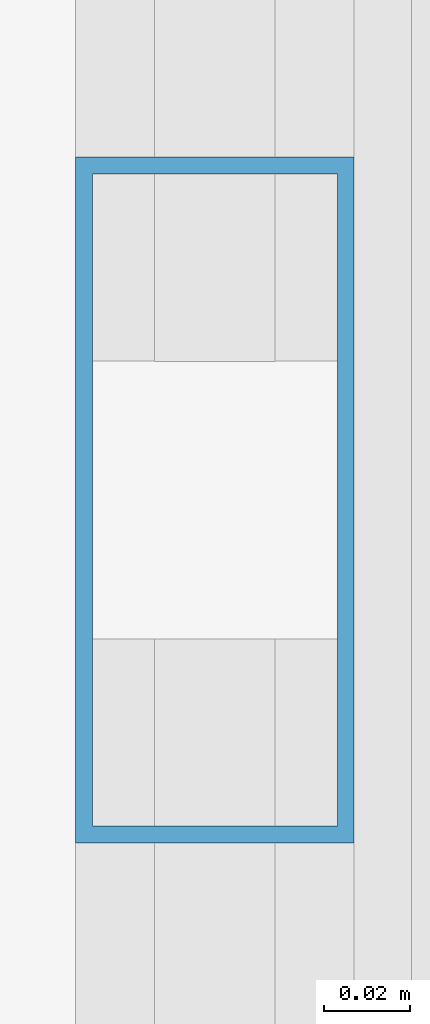
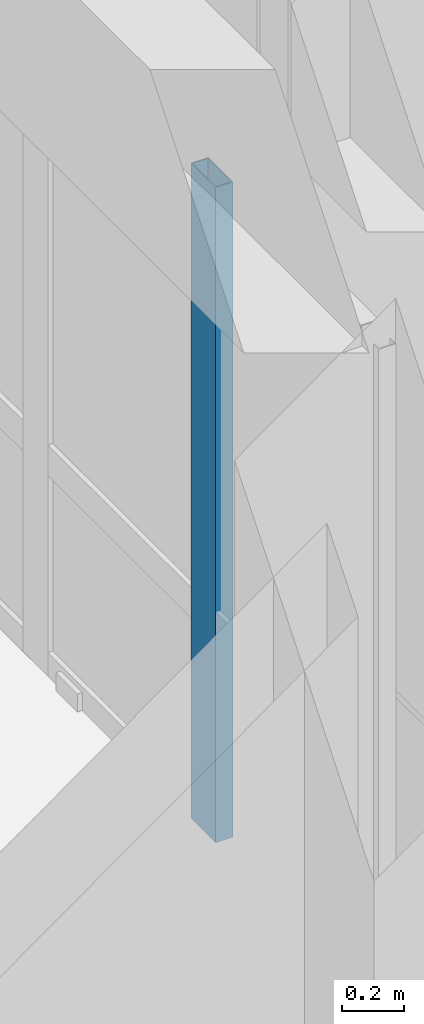
# One storey, part 53 of 82: 1 member, 1 element without a shape of its own.
"""IFC4 building model written with IfcOpenShell, lengths in metres."""

from ifc_helpers import new_model, si_unit, direction, frame, origin, origin_2d, place, context, subcontext, project, spatial, hollow_rectangle, extrude, material, layer, layer_set, material_profile, profile_set, type_object, element, aggregate, save


model = new_model("IFC4")

# Units and contexts
model_context = context("Model", 3, precision=1e-05, world=origin(), true_north=direction((0.0, 1.0)))
body_context = subcontext(model_context, "Body", "Model", "MODEL_VIEW")
ifc_project = project(units=[si_unit("LENGTHUNIT", "METRE"), si_unit("AREAUNIT", "SQUARE_METRE"), si_unit("VOLUMEUNIT", "CUBIC_METRE"), si_unit("PLANEANGLEUNIT", "RADIAN"), si_unit("MASSUNIT", "GRAM", prefix="KILO")], contexts=[model_context])

# Site, building, storey
site_placement = place(None, origin())
site = spatial("IfcSite", under=ifc_project, at=site_placement, CompositionType="ELEMENT")
building_placement = place(site_placement, origin())
building = spatial("IfcBuilding", under=site, at=building_placement, Name="Nakhvara Creek Congress Hotel", CompositionType="ELEMENT")
storey_placement = place(building_placement, frame((0.0, 0.0, 21.0)))
storey = spatial("IfcBuildingStorey", under=building, at=storey_placement, Name="L04", CompositionType="ELEMENT", Elevation=21.0)

# Curtain wall, member
ifc_material_1 = material(Name="Bronze-anodised aluminium AW-6063-T6 and double-silver low-E glass", Category="aluminium")
ifc_layer = layer(ifc_material_1, 0.199951171875)
ifc_layer_set = layer_set([ifc_layer], Name="Bronze-anodised aluminium AW-6063-T6 and double-silver low-E glass")
curtain_wall_type = type_object("IfcCurtainWallType", Name="CW-HTL-UNIT", PredefinedType="USERDEFINED", material=ifc_layer_set)
curtain_wall_placement = place(storey_placement, origin())
curtain_wall = element("IfcCurtainWall", 1, at=curtain_wall_placement, inside=storey, type_object=curtain_wall_type, Name="Curtain Wall CW200", ObjectType="UNITISED", PredefinedType="USERDEFINED")
ifc_material_2 = material(Name="Bronze-anodised aluminium AW-6063-T6", Category="aluminium")
ifc_material_profile = material_profile(ifc_material_2, hollow_rectangle(XDim=0.06494140625, YDim=0.159912109375, WallThickness=0.00390625, at=origin_2d()), Name="ALU-MULL 65x160x4", Category="LoadBearing")
ifc_profile_set = profile_set([ifc_material_profile], Name="Bronze-anodised aluminium AW-6063-T6")
member_type = type_object("IfcMemberType", Name="CW-MULL-160", PredefinedType="MULLION", material=ifc_profile_set)
member_placement = place(storey_placement, frame((179.60009765625, 121.548828125, 0.0), z_axis=(0.0, 0.0, 1.0), x_axis=(1.0, 0.0, 0.0)))
member = element("IfcMember", 2, at=member_placement, type_object=member_type, Name="CW200 mullion 4", PredefinedType="MULLION", context=body_context, shape_type="SweptSolid", body=[
    extrude(hollow_rectangle(XDim=0.06494140625, YDim=0.159912109375, WallThickness=0.00390625, at=origin_2d()), origin(), (0.0, 0.0, 1.0), 2.58203125),
])
aggregate(curtain_wall, [member])

save(model, "model.ifc")
